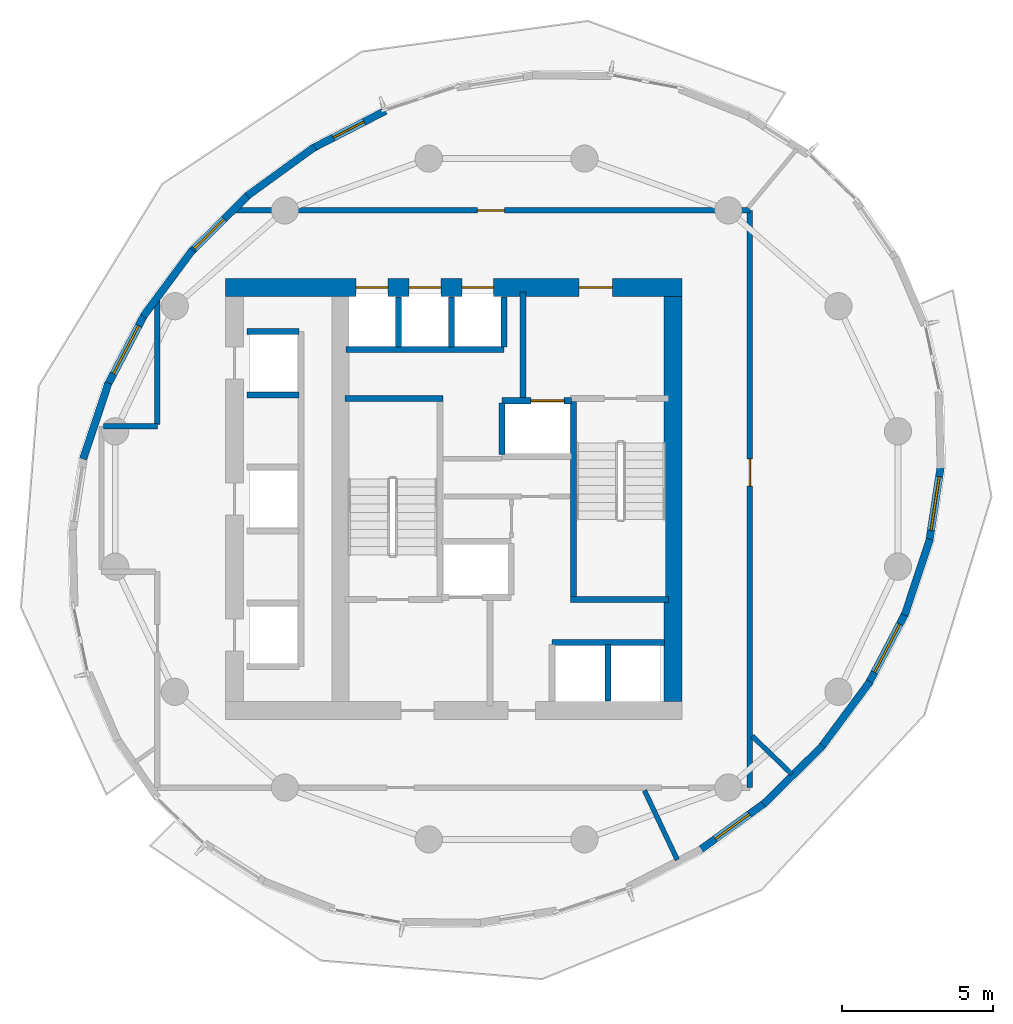
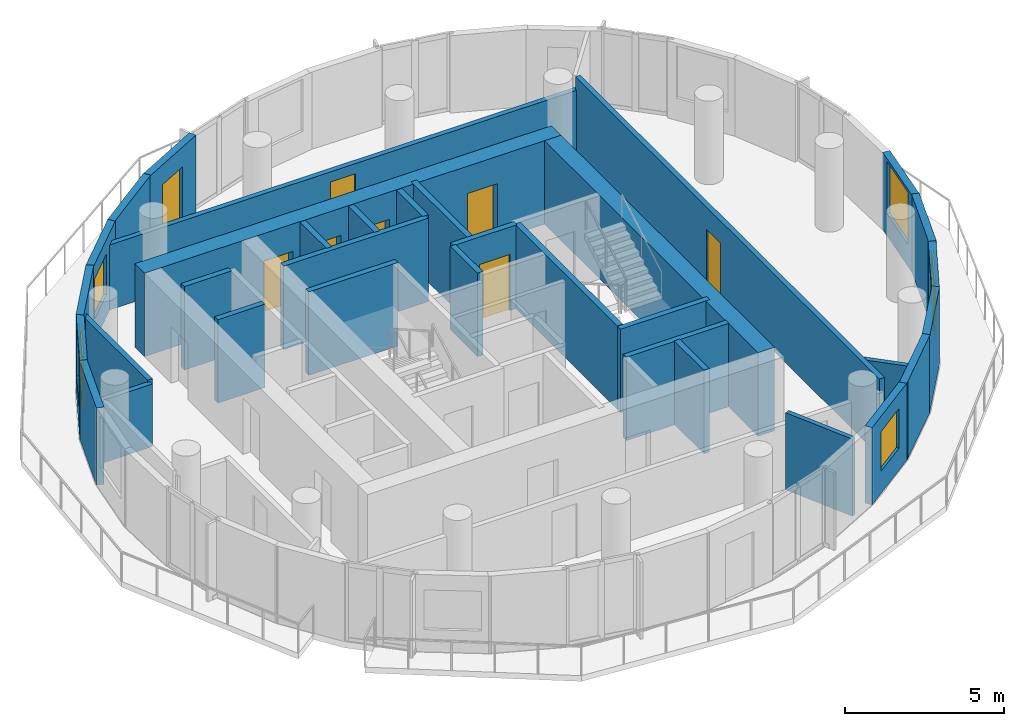
# One storey, part 4 of 9: 34 walls, 8 doors, 5 windows, 13 openings.
"""IFC4 building model written with IfcOpenShell, lengths in metres."""

from ifc_helpers import new_model, si_unit, direction, frame, frame_2d, origin, place, context, subcontext, project, spatial, rectangle, extrude, material, layer, layer_set, type_object, element, fill, save


model = new_model("IFC4")

# Units and contexts
model_context = context("Model", 3, precision=1e-05, world=origin(), true_north=direction((0.0, 1.0)))
body_context = subcontext(model_context, "Body", "Model", "MODEL_VIEW")
ifc_project = project(units=[si_unit("LENGTHUNIT", "METRE"), si_unit("AREAUNIT", "SQUARE_METRE"), si_unit("VOLUMEUNIT", "CUBIC_METRE"), si_unit("PLANEANGLEUNIT", "RADIAN"), si_unit("MASSUNIT", "GRAM", prefix="KILO")], contexts=[model_context])

# Site, building, storey
site_placement = place(None, origin())
site = spatial("IfcSite", under=ifc_project, at=site_placement, CompositionType="ELEMENT")
building_placement = place(site_placement, origin())
building = spatial("IfcBuilding", under=site, at=building_placement, Name="Veldorim Arch Residences", CompositionType="ELEMENT")
storey_placement = place(building_placement, frame((0.0, 0.0, 163.0400390625)))
storey = spatial("IfcBuildingStorey", under=building, at=storey_placement, Name="L48", CompositionType="ELEMENT", Elevation=163.0400390625)

# Wall, opening, door
ifc_material_1 = material(Name="Lightweight Masonry Block & Gypsum", Category="masonry")
ifc_layer_1 = layer(ifc_material_1, 0.179931640625, Name="Compartment & Corridor Fire-Rated Party Wall 180")
ifc_layer_set_1 = layer_set([ifc_layer_1], Name="Lightweight Masonry Block & Gypsum")
wall_type_1 = type_object("IfcWallType", Name="Compartment & Corridor Fire-Rated Party Wall 180", PredefinedType="PARTITIONING", material=ifc_layer_set_1)
wall_1_placement = place(storey_placement, frame((23.0244140625, 33.550048828125, 0.0), z_axis=(0.0, 0.0, 1.0), x_axis=(1.0, 0.0, 0.0)))
wall_1 = element("IfcWall", 1, at=wall_1_placement, inside=storey, type_object=wall_type_1, Name="L48 interior wall WL-SKY-L48-001", PredefinedType="PARTITIONING", context=body_context, shape_type="SweptSolid", body=[
    extrude(rectangle(XDim=17.025634765625, YDim=0.179931640625, at=frame_2d((8.5126953125, 0.0))), origin(), (0.0, 0.0, 1.0), 2.488037109375),
])
opening_1_placement = place(wall_1_placement, frame((8.01220703125, 0.0, 0.0)))
opening_1 = element("IfcOpeningElement", 2, at=opening_1_placement, cuts=wall_1, Name="Opening DR-INT", PredefinedType="OPENING", context=body_context, shape_type="SweptSolid", body=[
    extrude(rectangle(XDim=0.89990234375, YDim=2.10009765625, at=frame_2d((0.449951171875, 1.050048828125))), frame((0.0, 0.099853515625, 0.0), z_axis=(0.0, -1.0, 0.0), x_axis=(1.0, 0.0, 0.0)), (0.0, 0.0, 1.0), 0.199951171875),
])
ifc_material_2 = material(Name="Engineered Timber", Category="wood")
door_type_1 = type_object("IfcDoorType", Name="Apartment Internal Room Timber Door 900x2100", OperationType="SINGLE_SWING_LEFT", PredefinedType="DOOR", material=ifc_material_2)
door_1_placement = place(opening_1_placement, origin())
door_1 = element("IfcDoor", 3, at=door_1_placement, inside=storey, type_object=door_type_1, Name="L48 interior door DR-SKY-L48-001", OperationType="SINGLE_SWING_LEFT", OverallHeight=2.10009765625, OverallWidth=0.89990234375, PredefinedType="DOOR", context=body_context, shape_type="SweptSolid", body=[
    extrude(rectangle(XDim=0.89990234375, YDim=2.10009765625, at=frame_2d((0.449951171875, 1.050048828125))), frame((0.0, 0.02490234375, 0.0), z_axis=(0.0, -1.0, 0.0), x_axis=(1.0, 0.0, 0.0)), (0.0, 0.0, 1.0), 0.050048828125),
])
fill(opening_1, door_1)

# Walls
wall_2_placement = place(storey_placement, frame((18.659912109375, 26.39990234375, 0.0), z_axis=(0.0, 0.0, 1.0), x_axis=(1.0, 0.0, 0.0)))
element("IfcWall", 4, at=wall_2_placement, inside=storey, type_object=wall_type_1, Name="L48 interior wall WL-SKY-L48-005", PredefinedType="PARTITIONING", context=body_context, shape_type="SweptSolid", body=[
    extrude(rectangle(XDim=1.7900390625, YDim=0.179931640625, at=frame_2d((0.89501953125, 0.0))), origin(), (0.0, 0.0, 1.0), 2.4033203125),
])
wall_3_placement = place(storey_placement, frame((20.449951171875, 26.4599609375, 0.0), z_axis=(0.0, 0.0, 1.0), x_axis=(0.0, 1.0, 0.0)))
element("IfcWall", 5, at=wall_3_placement, inside=storey, type_object=wall_type_1, Name="L48 interior wall WL-SKY-L48-006", PredefinedType="PARTITIONING", context=body_context, shape_type="SweptSolid", body=[
    extrude(rectangle(XDim=4.124267578125, YDim=0.179931640625, at=frame_2d((2.06201171875, 0.0))), origin(), (0.0, 0.0, 1.0), 2.488037109375),
])

# Wall, opening, door
wall_4_placement = place(storey_placement, frame((40.050048828125, 33.550048828125, 0.0), z_axis=(0.0, 0.0, 1.0), x_axis=(0.0, -1.0, 0.0)))
wall_4 = element("IfcWall", 6, at=wall_4_placement, inside=storey, type_object=wall_type_1, Name="L48 interior wall WL-SKY-L48-008", PredefinedType="PARTITIONING", context=body_context, shape_type="SweptSolid", body=[
    extrude(rectangle(XDim=19.10009765625, YDim=0.179931640625, at=frame_2d((9.550048828125, 0.0))), origin(), (0.0, 0.0, 1.0), 2.955078125),
])
opening_2_placement = place(wall_4_placement, frame((8.22314453125, 0.0, 0.0)))
opening_2 = element("IfcOpeningElement", 7, at=opening_2_placement, cuts=wall_4, Name="Opening DR-INT", PredefinedType="OPENING", context=body_context, shape_type="SweptSolid", body=[
    extrude(rectangle(XDim=0.89990234375, YDim=2.10009765625, at=frame_2d((0.449951171875, 1.050048828125))), frame((0.0, 0.099853515625, 0.0), z_axis=(0.0, -1.0, 0.0), x_axis=(1.0, 0.0, 0.0)), (0.0, 0.0, 1.0), 0.199951171875),
])
door_2_placement = place(opening_2_placement, origin())
door_2 = element("IfcDoor", 8, at=door_2_placement, inside=storey, type_object=door_type_1, Name="L48 interior door DR-SKY-L48-004", OperationType="SINGLE_SWING_RIGHT", OverallHeight=2.10009765625, OverallWidth=0.89990234375, PredefinedType="DOOR", context=body_context, shape_type="SweptSolid", body=[
    extrude(rectangle(XDim=0.89990234375, YDim=2.10009765625, at=frame_2d((0.449951171875, 1.050048828125))), frame((0.0, 0.02490234375, 0.0), z_axis=(0.0, -1.0, 0.0), x_axis=(1.0, 0.0, 0.0)), (0.0, 0.0, 1.0), 0.050048828125),
])
fill(opening_2, door_2)

# Walls
ifc_material_3 = material(Name="Concrete C50/60", Category="concrete")
ifc_layer_2 = layer(ifc_material_3, 0.199951171875, Name="Core Stair & Lift Shaft Enclosure Wall 200")
ifc_layer_set_2 = layer_set([ifc_layer_2], Name="Concrete C50/60")
wall_type_2 = type_object("IfcWallType", Name="Core Stair & Lift Shaft Enclosure Wall 200", PredefinedType="SHEAR", material=ifc_layer_set_2)
wall_5_placement = place(storey_placement, frame((26.64990234375, 27.330078125, 0.0), z_axis=(0.0, 0.0, 1.0), x_axis=(1.0, 0.0, 0.0)))
element("IfcWall", 9, at=wall_5_placement, inside=storey, type_object=wall_type_2, Name="L48 shaft wall WL-SHF-L48-ST1-N", PredefinedType="SHEAR", context=body_context, shape_type="SweptSolid", body=[
    extrude(rectangle(XDim=3.239990234375, YDim=0.199951171875, at=frame_2d((1.6201171875, 0.0))), origin(), (0.0, 0.0, 1.0), 3.199951171875),
])
wall_6_placement = place(storey_placement, frame((34.2099609375, 20.780029296875, 0.0), z_axis=(0.0, 0.0, 1.0), x_axis=(0.0, 1.0, 0.0)))
element("IfcWall", 10, at=wall_6_placement, inside=storey, type_object=wall_type_2, Name="L48 shaft wall WL-SHF-L48-ST2-W", PredefinedType="SHEAR", context=body_context, shape_type="SweptSolid", body=[
    extrude(rectangle(XDim=6.43994140625, YDim=0.199951171875, at=frame_2d((3.219970703125, 0.0))), origin(), (0.0, 0.0, 1.0), 3.199951171875),
])
wall_7_placement = place(storey_placement, frame((34.110107421875, 20.669921875, 0.0), z_axis=(0.0, 0.0, 1.0), x_axis=(1.0, 0.0, 0.0)))
element("IfcWall", 11, at=wall_7_placement, inside=storey, type_object=wall_type_2, Name="L48 shaft wall WL-SHF-L48-ST2-S", PredefinedType="SHEAR", context=body_context, shape_type="SweptSolid", body=[
    extrude(rectangle(XDim=3.239990234375, YDim=0.199951171875, at=frame_2d((1.6201171875, 0.0))), origin(), (0.0, 0.0, 1.0), 3.199951171875),
])
wall_8_placement = place(storey_placement, frame((32.550048828125, 27.35009765625, 0.0), z_axis=(0.0, 0.0, 1.0), x_axis=(0.0, 1.0, 0.0)))
element("IfcWall", 12, at=wall_8_placement, inside=storey, type_object=wall_type_2, Name="L48 shaft wall WL-FFL2-L48-W", PredefinedType="SHEAR", context=body_context, shape_type="SweptSolid", body=[
    extrude(rectangle(XDim=3.5, YDim=0.199951171875, at=frame_2d((1.75, 0.0))), origin(), (0.0, 0.0, 1.0), 3.199951171875),
])

# Wall, opening, door
wall_9_placement = place(storey_placement, frame((31.85009765625, 27.25, 0.0), z_axis=(0.0, 0.0, 1.0), x_axis=(1.0, 0.0, 0.0)))
wall_9 = element("IfcWall", 13, at=wall_9_placement, inside=storey, type_object=wall_type_2, Name="L48 shaft wall WL-FL02-L48-N", PredefinedType="SHEAR", context=body_context, shape_type="SweptSolid", body=[
    extrude(rectangle(XDim=2.2998046875, YDim=0.199951171875, at=frame_2d((1.14990234375, 0.0))), origin(), (0.0, 0.0, 1.0), 3.199951171875),
])
opening_3_placement = place(wall_9_placement, frame((0.949951171875, 0.0, 0.0)))
opening_3 = element("IfcOpeningElement", 14, at=opening_3_placement, cuts=wall_9, Name="Opening LD-FF", PredefinedType="OPENING", context=body_context, shape_type="SweptSolid", body=[
    extrude(rectangle(XDim=1.10009765625, YDim=2.14990234375, at=frame_2d((0.550048828125, 1.074951171875))), frame((0.0, 0.10986328125, 0.0), z_axis=(0.0, -1.0, 0.0), x_axis=(1.0, 0.0, 0.0)), (0.0, 0.0, 1.0), 0.219970703125),
])
ifc_material_4 = material(Name="Stainless Steel", Category="steel")
door_type_2 = type_object("IfcDoorType", Name="Firefighting Lift Bi-Parting Sliding Landing Door 1100x2150", OperationType="DOUBLE_DOOR_SLIDING", PredefinedType="DOOR", material=ifc_material_4)
door_3_placement = place(opening_3_placement, origin())
door_3 = element("IfcDoor", 15, at=door_3_placement, inside=storey, type_object=door_type_2, Name="L48 lift landing door LD-L48-FL02", OperationType="DOUBLE_DOOR_SLIDING", OverallHeight=2.14990234375, OverallWidth=1.10009765625, PredefinedType="DOOR", context=body_context, shape_type="SweptSolid", body=[
    extrude(rectangle(XDim=1.10009765625, YDim=2.14990234375, at=frame_2d((0.550048828125, 1.074951171875))), frame((0.0, 0.02490234375, 0.0), z_axis=(0.0, -1.0, 0.0), x_axis=(1.0, 0.0, 0.0)), (0.0, 0.0, 1.0), 0.050048828125),
])
fill(opening_3, door_3)

# Walls
for number, where, z_axis, x_axis, name in (
    (16, (31.85009765625, 25.469970703125, 0.0), (0.0, 0.0, 1.0), (0.0, 1.0, 0.0), "L48 shaft wall WL-FL02-L48-W"),
    (17, (23.419921875, 29.5400390625, 0.0), (0.0, 0.0, 1.0), (1.0, 0.0, 0.0), "L48 shaft wall WL-B2-L48-N"),
    (18, (23.419921875, 27.43994140625, 0.0), (0.0, 0.0, 1.0), (1.0, 0.0, 0.0), "L48 shaft wall WL-B2-L48-D2B"),
):
    element("IfcWall", number, at=place(storey_placement, frame(where, z_axis=z_axis, x_axis=x_axis)), inside=storey, type_object=wall_type_2, Name=name, PredefinedType="SHEAR", context=body_context, shape_type="SweptSolid", body=[
        extrude(rectangle(XDim=1.7099609375, YDim=0.199951171875, at=frame_2d((0.85498046875, 0.0))), origin(), (0.0, 0.0, 1.0), 3.199951171875),
    ])
wall_10_placement = place(storey_placement, frame((26.679931640625, 28.949951171875, 0.0), z_axis=(0.0, 0.0, 1.0), x_axis=(1.0, 0.0, 0.0)))
element("IfcWall", 19, at=wall_10_placement, inside=storey, type_object=wall_type_2, Name="L48 shaft wall WL-B3-L48-S", PredefinedType="SHEAR", context=body_context, shape_type="SweptSolid", body=[
    extrude(rectangle(XDim=5.239990234375, YDim=0.199951171875, at=frame_2d((2.6201171875, 0.0))), origin(), (0.0, 0.0, 1.0), 3.199951171875),
])
for number, where, z_axis, x_axis, name in (
    (20, (31.919921875, 29.02001953125, 0.0), (0.0, 0.0, 1.0), (0.0, 1.0, 0.0), "L48 shaft wall WL-B3-L48-E"),
    (21, (28.425048828125, 29.02001953125, 0.0), (0.0, 0.0, 1.0), (0.0, 1.0, 0.0), "L48 shaft wall WL-B3-L48-D1"),
    (22, (30.175048828125, 29.02001953125, 0.0), (0.0, 0.0, 1.0), (0.0, 1.0, 0.0), "L48 shaft wall WL-B3-L48-D2"),
):
    element("IfcWall", number, at=place(storey_placement, frame(where, z_axis=z_axis, x_axis=x_axis)), inside=storey, type_object=wall_type_2, Name=name, PredefinedType="SHEAR", context=body_context, shape_type="SweptSolid", body=[
        extrude(rectangle(XDim=1.659912109375, YDim=0.199951171875, at=frame_2d((0.830078125, 0.0))), origin(), (0.0, 0.0, 1.0), 3.199951171875),
    ])
wall_11_placement = place(storey_placement, frame((33.5, 19.25, 0.0), z_axis=(0.0, 0.0, 1.0), x_axis=(1.0, 0.0, 0.0)))
element("IfcWall", 23, at=wall_11_placement, inside=storey, type_object=wall_type_2, Name="L48 shaft wall WL-OL-L48-N", PredefinedType="SHEAR", context=body_context, shape_type="SweptSolid", body=[
    extrude(rectangle(XDim=3.719970703125, YDim=0.199951171875, at=frame_2d((1.85986328125, 0.0))), origin(), (0.0, 0.0, 1.0), 3.199951171875),
])
wall_12_placement = place(storey_placement, frame((35.35009765625, 17.320068359375, 0.0), z_axis=(0.0, 0.0, 1.0), x_axis=(0.0, 1.0, 0.0)))
element("IfcWall", 24, at=wall_12_placement, inside=storey, type_object=wall_type_2, Name="L48 shaft wall WL-OL-L48-D1", PredefinedType="SHEAR", context=body_context, shape_type="SweptSolid", body=[
    extrude(rectangle(XDim=1.85986328125, YDim=0.199951171875, at=frame_2d((0.929931640625, 0.0))), origin(), (0.0, 0.0, 1.0), 3.199951171875),
])

# Wall, openings, doors
ifc_material_5 = material(Name="Concrete C50/60", Category="concrete")
ifc_layer_3 = layer(ifc_material_5, 0.60009765625, Name="Mid-Upper Central Core Shear Wall 600")
ifc_layer_set_3 = layer_set([ifc_layer_3], Name="Concrete C50/60")
wall_type_3 = type_object("IfcWallType", Name="Mid-Upper Central Core Shear Wall 600", PredefinedType="SHEAR", material=ifc_layer_set_3)
wall_13_placement = place(storey_placement, frame((22.699951171875, 31.0, 0.0), z_axis=(0.0, 0.0, 1.0), x_axis=(1.0, 0.0, 0.0)))
wall_13 = element("IfcWall", 25, at=wall_13_placement, inside=storey, type_object=wall_type_3, Name="L48 central core north shear wall", PredefinedType="SHEAR", context=body_context, shape_type="SweptSolid", body=[
    extrude(rectangle(XDim=15.10009765625, YDim=0.60009765625, at=frame_2d((7.550048828125, 0.0))), origin(), (0.0, 0.0, 1.0), 3.199951171875),
])
opening_4_placement = place(wall_13_placement, frame((11.699951171875, 0.0, 0.0)))
opening_4 = element("IfcOpeningElement", 26, at=opening_4_placement, cuts=wall_13, Name="Opening DR-FFL", PredefinedType="OPENING", context=body_context, shape_type="SweptSolid", body=[
    extrude(rectangle(XDim=1.10009765625, YDim=2.14990234375, at=frame_2d((0.550048828125, 1.074951171875))), frame((0.0, 0.31005859375, 0.0), z_axis=(0.0, -1.0, 0.0), x_axis=(1.0, 0.0, 0.0)), (0.0, 0.0, 1.0), 0.6201171875),
])
opening_5_placement = place(wall_13_placement, frame((4.324951171875, 0.0, 0.0)))
opening_5 = element("IfcOpeningElement", 27, at=opening_5_placement, cuts=wall_13, Name="Opening LD-PS", PredefinedType="OPENING", context=body_context, shape_type="SweptSolid", body=[
    extrude(rectangle(XDim=1.050048828125, YDim=2.14990234375, at=frame_2d((0.52490234375, 1.074951171875))), frame((0.0, 0.31005859375, 0.0), z_axis=(0.0, -1.0, 0.0), x_axis=(1.0, 0.0, 0.0)), (0.0, 0.0, 1.0), 0.6201171875),
])
opening_6_placement = place(wall_13_placement, frame((6.074951171875, 0.0, 0.0)))
opening_6 = element("IfcOpeningElement", 28, at=opening_6_placement, cuts=wall_13, Name="Opening LD-PS", PredefinedType="OPENING", context=body_context, shape_type="SweptSolid", body=[
    extrude(rectangle(XDim=1.050048828125, YDim=2.14990234375, at=frame_2d((0.52490234375, 1.074951171875))), frame((0.0, 0.31005859375, 0.0), z_axis=(0.0, -1.0, 0.0), x_axis=(1.0, 0.0, 0.0)), (0.0, 0.0, 1.0), 0.6201171875),
])
opening_7_placement = place(wall_13_placement, frame((7.824951171875, 0.0, 0.0)))
opening_7 = element("IfcOpeningElement", 29, at=opening_7_placement, cuts=wall_13, Name="Opening LD-PS", PredefinedType="OPENING", context=body_context, shape_type="SweptSolid", body=[
    extrude(rectangle(XDim=1.050048828125, YDim=2.14990234375, at=frame_2d((0.52490234375, 1.074951171875))), frame((0.0, 0.31005859375, 0.0), z_axis=(0.0, -1.0, 0.0), x_axis=(1.0, 0.0, 0.0)), (0.0, 0.0, 1.0), 0.6201171875),
])
ifc_material_6 = material(Name="Fire-Rated Steel & Vision Glass", Category="steel")
door_type_3 = type_object("IfcDoorType", Name="Firefighting Lobby Smoke-Stop Fire Door 1100x2150", OperationType="SINGLE_SWING_LEFT", PredefinedType="DOOR", material=ifc_material_6)
door_4_placement = place(opening_4_placement, origin())
door_4 = element("IfcDoor", 30, at=door_4_placement, inside=storey, type_object=door_type_3, Name="L48 interior door DR-L48-FFL2", OperationType="SINGLE_SWING_LEFT", OverallHeight=2.14990234375, OverallWidth=1.10009765625, PredefinedType="DOOR", context=body_context, shape_type="SweptSolid", body=[
    extrude(rectangle(XDim=1.10009765625, YDim=2.14990234375, at=frame_2d((0.550048828125, 1.074951171875))), frame((0.0, 0.02490234375, 0.0), z_axis=(0.0, -1.0, 0.0), x_axis=(1.0, 0.0, 0.0)), (0.0, 0.0, 1.0), 0.050048828125),
])
fill(opening_4, door_4)
ifc_material_7 = material(Name="Stainless Steel", Category="steel")
door_type_4 = type_object("IfcDoorType", Name="Passenger Lift Bi-Parting Sliding Landing Door 1050x2150", OperationType="DOUBLE_DOOR_SLIDING", PredefinedType="DOOR", material=ifc_material_7)
door_5_placement = place(opening_5_placement, origin())
door_5 = element("IfcDoor", 31, at=door_5_placement, inside=storey, type_object=door_type_4, Name="L48 lift landing door LD-L48-PL-08", OperationType="DOUBLE_DOOR_SLIDING", OverallHeight=2.14990234375, OverallWidth=1.050048828125, PredefinedType="DOOR", context=body_context, shape_type="SweptSolid", body=[
    extrude(rectangle(XDim=1.050048828125, YDim=2.14990234375, at=frame_2d((0.52490234375, 1.074951171875))), frame((0.0, 0.02490234375, 0.0), z_axis=(0.0, -1.0, 0.0), x_axis=(1.0, 0.0, 0.0)), (0.0, 0.0, 1.0), 0.050048828125),
])
fill(opening_5, door_5)
door_6_placement = place(opening_6_placement, origin())
door_6 = element("IfcDoor", 32, at=door_6_placement, inside=storey, type_object=door_type_4, Name="L48 lift landing door LD-L48-PL-09", OperationType="DOUBLE_DOOR_SLIDING", OverallHeight=2.14990234375, OverallWidth=1.050048828125, PredefinedType="DOOR", context=body_context, shape_type="SweptSolid", body=[
    extrude(rectangle(XDim=1.050048828125, YDim=2.14990234375, at=frame_2d((0.52490234375, 1.074951171875))), frame((0.0, 0.02490234375, 0.0), z_axis=(0.0, -1.0, 0.0), x_axis=(1.0, 0.0, 0.0)), (0.0, 0.0, 1.0), 0.050048828125),
])
fill(opening_6, door_6)
door_7_placement = place(opening_7_placement, origin())
door_7 = element("IfcDoor", 33, at=door_7_placement, inside=storey, type_object=door_type_4, Name="L48 lift landing door LD-L48-PL-10", OperationType="DOUBLE_DOOR_SLIDING", OverallHeight=2.14990234375, OverallWidth=1.050048828125, PredefinedType="DOOR", context=body_context, shape_type="SweptSolid", body=[
    extrude(rectangle(XDim=1.050048828125, YDim=2.14990234375, at=frame_2d((0.52490234375, 1.074951171875))), frame((0.0, 0.02490234375, 0.0), z_axis=(0.0, -1.0, 0.0), x_axis=(1.0, 0.0, 0.0)), (0.0, 0.0, 1.0), 0.050048828125),
])
fill(opening_7, door_7)

# Wall
wall_14_placement = place(storey_placement, frame((37.5, 17.300048828125, 0.0), z_axis=(0.0, 0.0, 1.0), x_axis=(0.0, 1.0, 0.0)))
element("IfcWall", 34, at=wall_14_placement, inside=storey, type_object=wall_type_3, Name="L48 central core east shear wall", PredefinedType="SHEAR", context=body_context, shape_type="SweptSolid", body=[
    extrude(rectangle(XDim=13.39990234375, YDim=0.60009765625, at=frame_2d((6.699951171875, 0.0))), origin(), (0.0, 0.0, 1.0), 3.199951171875),
])

# Wall, opening, door
ifc_material_8 = material(Name="Precast concrete C40/50", Category="concrete")
ifc_layer_4 = layer(ifc_material_8, 0.25, Name="Tower Terracotta Spandrel & Pier Wall 250")
ifc_layer_set_4 = layer_set([ifc_layer_4], Name="Precast concrete C40/50")
wall_type_4 = type_object("IfcWallType", Name="Tower Terracotta Spandrel & Pier Wall 250", PredefinedType="SOLIDWALL", material=ifc_layer_set_4)
wall_15_placement = place(storey_placement, frame((25.5576171875, 35.591064453125, 0.0), z_axis=(0.0, 0.0, 1.0), x_axis=(0.889378950916, 0.457170735796, 0.0)))
wall_15 = element("IfcWall", 35, at=wall_15_placement, inside=storey, type_object=wall_type_4, Name="L48 terracotta facade wall 08", PredefinedType="SOLIDWALL", context=body_context, shape_type="SweptSolid", body=[
    extrude(rectangle(XDim=2.738525390625, YDim=0.25, at=frame_2d((1.369140625, 0.0))), origin(), (0.0, 0.0, 1.0), 2.9599609375),
])
opening_8_placement = place(wall_15_placement, frame((0.7939453125, 0.0, 0.0)))
opening_8 = element("IfcOpeningElement", 36, at=opening_8_placement, cuts=wall_15, Name="Opening BL-DR", PredefinedType="OPENING", context=body_context, shape_type="SweptSolid", body=[
    extrude(rectangle(XDim=1.14990234375, YDim=2.199951171875, at=frame_2d((0.574951171875, 1.10009765625))), frame((0.0, 0.135009765625, 0.0), z_axis=(0.0, -1.0, 0.0), x_axis=(1.0, 0.0, 0.0)), (0.0, 0.0, 1.0), 0.27001953125),
])
ifc_material_9 = material(Name="Aluminium & Low-E Glass", Category="aluminium")
door_type_5 = type_object("IfcDoorType", Name="Glazed Planted Balcony Door 1150x2200", OperationType="SINGLE_SWING_LEFT", PredefinedType="DOOR", material=ifc_material_9)
door_8_placement = place(opening_8_placement, origin())
door_8 = element("IfcDoor", 37, at=door_8_placement, inside=storey, type_object=door_type_5, Name="L48 glazed outdoor terrace door BALC-1", OperationType="SINGLE_SWING_RIGHT", OverallHeight=2.199951171875, OverallWidth=1.14990234375, PredefinedType="DOOR", context=body_context, shape_type="SweptSolid", body=[
    extrude(rectangle(XDim=1.14990234375, YDim=2.199951171875, at=frame_2d((0.574951171875, 1.10009765625))), frame((0.0, 0.02490234375, 0.0), z_axis=(0.0, -1.0, 0.0), x_axis=(1.0, 0.0, 0.0)), (0.0, 0.0, 1.0), 0.050048828125),
])
fill(opening_8, door_8)

# Wall
wall_16_placement = place(storey_placement, frame((23.418212890625, 34.028076171875, 0.0), z_axis=(0.0, 0.0, 1.0), x_axis=(0.809302211878, 0.587392483651, 0.0)))
element("IfcWall", 38, at=wall_16_placement, inside=storey, type_object=wall_type_4, Name="L48 terracotta facade wall 09", PredefinedType="SOLIDWALL", context=body_context, shape_type="SweptSolid", body=[
    extrude(rectangle(XDim=2.758056640625, YDim=0.25, at=frame_2d((1.37890625, 0.0))), origin(), (0.0, 0.0, 1.0), 2.9599609375),
])

# Wall, opening, window
wall_17_placement = place(storey_placement, frame((21.539794921875, 32.15966796875, 0.0), z_axis=(0.0, 0.0, 1.0), x_axis=(0.711211219647, 0.702978378792, 0.0)))
wall_17 = element("IfcWall", 39, at=wall_17_placement, inside=storey, type_object=wall_type_4, Name="L48 terracotta facade wall 10", PredefinedType="SOLIDWALL", context=body_context, shape_type="SweptSolid", body=[
    extrude(rectangle(XDim=2.7578125, YDim=0.25, at=frame_2d((1.37890625, 0.0))), origin(), (0.0, 0.0, 1.0), 2.9599609375),
])
opening_9_placement = place(wall_17_placement, frame((0.175048828125, 0.0, 0.85009765625)))
opening_9 = element("IfcOpeningElement", 40, at=opening_9_placement, cuts=wall_17, Name="Opening WN-02", PredefinedType="OPENING", context=body_context, shape_type="SweptSolid", body=[
    extrude(rectangle(XDim=1.39990234375, YDim=1.550048828125, at=frame_2d((0.699951171875, 0.77490234375))), frame((0.0, 0.135009765625, 0.0), z_axis=(0.0, -1.0, 0.0), x_axis=(1.0, 0.0, 0.0)), (0.0, 0.0, 1.0), 0.27001953125),
])
ifc_material_10 = material(Name="Laminated Low-E Glass", Category="glass")
window_type_1 = type_object("IfcWindowType", Name="Residential Casement Window 1400x1550", PartitioningType="SINGLE_PANEL", PredefinedType="WINDOW", material=ifc_material_10)
window_1_placement = place(opening_9_placement, origin())
window_1 = element("IfcWindow", 41, at=window_1_placement, inside=storey, type_object=window_type_1, Name="L48 solar-control facade window 10", OverallHeight=1.550048828125, OverallWidth=1.39990234375, PartitioningType="SINGLE_PANEL", PredefinedType="WINDOW", context=body_context, shape_type="SweptSolid", body=[
    extrude(rectangle(XDim=1.39990234375, YDim=1.550048828125, at=frame_2d((0.699951171875, 0.77490234375))), frame((0.0, 0.030029296875, 0.0), z_axis=(0.0, -1.0, 0.0), x_axis=(1.0, 0.0, 0.0)), (0.0, 0.0, 1.0), 0.06005859375),
])
fill(opening_9, window_1)

# Wall
wall_18_placement = place(storey_placement, frame((19.9794921875, 30.042236328125, 0.0), z_axis=(0.0, 0.0, 1.0), x_axis=(0.595783859774, 0.803144814111, 0.0)))
element("IfcWall", 42, at=wall_18_placement, inside=storey, type_object=wall_type_4, Name="L48 terracotta facade wall 11", PredefinedType="SOLIDWALL", context=body_context, shape_type="SweptSolid", body=[
    extrude(rectangle(XDim=2.738525390625, YDim=0.25, at=frame_2d((1.369140625, 0.0))), origin(), (0.0, 0.0, 1.0), 2.9599609375),
])

# Wall, opening, window
wall_19_placement = place(storey_placement, frame((18.785400390625, 27.740966796875, 0.0), z_axis=(0.0, 0.0, 1.0), x_axis=(0.463513901258, 0.886089647463, 0.0)))
wall_19 = element("IfcWall", 43, at=wall_19_placement, inside=storey, type_object=wall_type_4, Name="L48 terracotta facade wall 12", PredefinedType="SOLIDWALL", context=body_context, shape_type="SweptSolid", body=[
    extrude(rectangle(XDim=2.701416015625, YDim=0.25, at=frame_2d((1.3505859375, 0.0))), origin(), (0.0, 0.0, 1.0), 2.9599609375),
])
opening_10_placement = place(wall_19_placement, frame((0.450927734375, 0.0, 0.85009765625)))
opening_10 = element("IfcOpeningElement", 44, at=opening_10_placement, cuts=wall_19, Name="Opening WN-04", PredefinedType="OPENING", context=body_context, shape_type="SweptSolid", body=[
    extrude(rectangle(XDim=1.800048828125, YDim=2.0, at=frame_2d((0.89990234375, 1.0))), frame((0.0, 0.135009765625, 0.0), z_axis=(0.0, -1.0, 0.0), x_axis=(1.0, 0.0, 0.0)), (0.0, 0.0, 1.0), 0.27001953125),
])
ifc_material_11 = material(Name="Laminated Low-E Glass", Category="glass")
window_type_2 = type_object("IfcWindowType", Name="Sky Lounge Tall Picture Window 1800x1370", PartitioningType="SINGLE_PANEL", PredefinedType="WINDOW", material=ifc_material_11)
window_2_placement = place(opening_10_placement, origin())
window_2 = element("IfcWindow", 45, at=window_2_placement, inside=storey, type_object=window_type_2, Name="L48 solar-control facade window 12", OverallHeight=2.0, OverallWidth=1.800048828125, PartitioningType="SINGLE_PANEL", PredefinedType="WINDOW", context=body_context, shape_type="SweptSolid", body=[
    extrude(rectangle(XDim=1.800048828125, YDim=2.0, at=frame_2d((0.89990234375, 1.0))), frame((0.0, 0.030029296875, 0.0), z_axis=(0.0, -1.0, 0.0), x_axis=(1.0, 0.0, 0.0)), (0.0, 0.0, 1.0), 0.06005859375),
])
fill(opening_10, window_2)

# Wall
wall_20_placement = place(storey_placement, frame((17.993896484375, 25.32568359375, 0.0), z_axis=(0.0, 0.0, 1.0), x_axis=(0.314763160498, 0.949170244368, 0.0)))
element("IfcWall", 46, at=wall_20_placement, inside=storey, type_object=wall_type_4, Name="L48 terracotta facade wall 13", PredefinedType="SOLIDWALL", context=body_context, shape_type="SweptSolid", body=[
    extrude(rectangle(XDim=2.651123046875, YDim=0.25, at=frame_2d((1.32568359375, 0.0))), origin(), (0.0, 0.0, 1.0), 2.9599609375),
])

# Wall, opening, window
wall_21_placement = place(storey_placement, frame((40.581787109375, 13.971923828125, 0.0), z_axis=(0.0, 0.0, 1.0), x_axis=(-0.809302211878, -0.587392483651, 0.0)))
wall_21 = element("IfcWall", 47, at=wall_21_placement, inside=storey, type_object=wall_type_4, Name="L48 terracotta facade wall 27", PredefinedType="SOLIDWALL", context=body_context, shape_type="SweptSolid", body=[
    extrude(rectangle(XDim=2.758056640625, YDim=0.25, at=frame_2d((1.37890625, 0.0))), origin(), (0.0, 0.0, 1.0), 2.9599609375),
])
opening_11_placement = place(wall_21_placement, frame((0.678955078125, 0.0, 0.85009765625)))
opening_11 = element("IfcOpeningElement", 48, at=opening_11_placement, cuts=wall_21, Name="Opening WN-02", PredefinedType="OPENING", context=body_context, shape_type="SweptSolid", body=[
    extrude(rectangle(XDim=1.39990234375, YDim=1.52001953125, at=frame_2d((0.699951171875, 0.760009765625))), frame((0.0, 0.135009765625, 0.0), z_axis=(0.0, -1.0, 0.0), x_axis=(1.0, 0.0, 0.0)), (0.0, 0.0, 1.0), 0.27001953125),
])
window_3_placement = place(opening_11_placement, origin())
window_3 = element("IfcWindow", 49, at=window_3_placement, inside=storey, type_object=window_type_1, Name="L48 solar-control facade window 27", OverallHeight=1.52001953125, OverallWidth=1.39990234375, PartitioningType="SINGLE_PANEL", PredefinedType="WINDOW", context=body_context, shape_type="SweptSolid", body=[
    extrude(rectangle(XDim=1.39990234375, YDim=1.52001953125, at=frame_2d((0.699951171875, 0.760009765625))), frame((0.0, 0.030029296875, 0.0), z_axis=(0.0, -1.0, 0.0), x_axis=(1.0, 0.0, 0.0)), (0.0, 0.0, 1.0), 0.06005859375),
])
fill(opening_11, window_3)

# Walls
wall_22_placement = place(storey_placement, frame((42.460205078125, 15.84033203125, 0.0), z_axis=(0.0, 0.0, 1.0), x_axis=(-0.711211219647, -0.702978378792, 0.0)))
element("IfcWall", 50, at=wall_22_placement, inside=storey, type_object=wall_type_4, Name="L48 terracotta facade wall 28", PredefinedType="SOLIDWALL", context=body_context, shape_type="SweptSolid", body=[
    extrude(rectangle(XDim=2.7578125, YDim=0.25, at=frame_2d((1.37890625, 0.0))), origin(), (0.0, 0.0, 1.0), 2.9599609375),
])
wall_23_placement = place(storey_placement, frame((44.0205078125, 17.957763671875, 0.0), z_axis=(0.0, 0.0, 1.0), x_axis=(-0.595783859774, -0.803144814111, 0.0)))
element("IfcWall", 51, at=wall_23_placement, inside=storey, type_object=wall_type_4, Name="L48 terracotta facade wall 29", PredefinedType="SOLIDWALL", context=body_context, shape_type="SweptSolid", body=[
    extrude(rectangle(XDim=2.738525390625, YDim=0.25, at=frame_2d((1.369140625, 0.0))), origin(), (0.0, 0.0, 1.0), 2.9599609375),
])

# Wall, opening, window
wall_24_placement = place(storey_placement, frame((45.214599609375, 20.259033203125, 0.0), z_axis=(0.0, 0.0, 1.0), x_axis=(-0.463513901258, -0.886089647463, 0.0)))
wall_24 = element("IfcWall", 52, at=wall_24_placement, inside=storey, type_object=wall_type_4, Name="L48 terracotta facade wall 30", PredefinedType="SOLIDWALL", context=body_context, shape_type="SweptSolid", body=[
    extrude(rectangle(XDim=2.701416015625, YDim=0.25, at=frame_2d((1.3505859375, 0.0))), origin(), (0.0, 0.0, 1.0), 2.9599609375),
])
opening_12_placement = place(wall_24_placement, frame((0.450927734375, 0.0, 0.85009765625)))
opening_12 = element("IfcOpeningElement", 53, at=opening_12_placement, cuts=wall_24, Name="Opening WN-04", PredefinedType="OPENING", context=body_context, shape_type="SweptSolid", body=[
    extrude(rectangle(XDim=1.800048828125, YDim=2.0, at=frame_2d((0.89990234375, 1.0))), frame((0.0, 0.135009765625, 0.0), z_axis=(0.0, -1.0, 0.0), x_axis=(1.0, 0.0, 0.0)), (0.0, 0.0, 1.0), 0.27001953125),
])
window_4_placement = place(opening_12_placement, origin())
window_4 = element("IfcWindow", 54, at=window_4_placement, inside=storey, type_object=window_type_2, Name="L48 solar-control facade window 30", OverallHeight=2.0, OverallWidth=1.800048828125, PartitioningType="SINGLE_PANEL", PredefinedType="WINDOW", context=body_context, shape_type="SweptSolid", body=[
    extrude(rectangle(XDim=1.800048828125, YDim=2.0, at=frame_2d((0.89990234375, 1.0))), frame((0.0, 0.030029296875, 0.0), z_axis=(0.0, -1.0, 0.0), x_axis=(1.0, 0.0, 0.0)), (0.0, 0.0, 1.0), 0.06005859375),
])
fill(opening_12, window_4)

# Wall
wall_25_placement = place(storey_placement, frame((46.006103515625, 22.67431640625, 0.0), z_axis=(0.0, 0.0, 1.0), x_axis=(-0.314763160498, -0.949170244368, 0.0)))
element("IfcWall", 55, at=wall_25_placement, inside=storey, type_object=wall_type_4, Name="L48 terracotta facade wall 31", PredefinedType="SOLIDWALL", context=body_context, shape_type="SweptSolid", body=[
    extrude(rectangle(XDim=2.651123046875, YDim=0.25, at=frame_2d((1.32568359375, 0.0))), origin(), (0.0, 0.0, 1.0), 2.9599609375),
])

# Wall, opening, window
wall_26_placement = place(storey_placement, frame((46.37109375, 25.12890625, 0.0), z_axis=(0.0, 0.0, 1.0), x_axis=(-0.150882230886, -0.988551744929, 0.0)))
wall_26 = element("IfcWall", 56, at=wall_26_placement, inside=storey, type_object=wall_type_4, Name="L48 terracotta facade wall 32", PredefinedType="SOLIDWALL", context=body_context, shape_type="SweptSolid", body=[
    extrude(rectangle(XDim=2.59228515625, YDim=0.25, at=frame_2d((1.296142578125, 0.0))), origin(), (0.0, 0.0, 1.0), 2.9599609375),
])
opening_13_placement = place(wall_26_placement, frame((0.39599609375, 0.0, 0.85009765625)))
opening_13 = element("IfcOpeningElement", 57, at=opening_13_placement, cuts=wall_26, Name="Opening WN-04", PredefinedType="OPENING", context=body_context, shape_type="SweptSolid", body=[
    extrude(rectangle(XDim=1.800048828125, YDim=2.0, at=frame_2d((0.89990234375, 1.0))), frame((0.0, 0.135009765625, 0.0), z_axis=(0.0, -1.0, 0.0), x_axis=(1.0, 0.0, 0.0)), (0.0, 0.0, 1.0), 0.27001953125),
])
window_5_placement = place(opening_13_placement, origin())
window_5 = element("IfcWindow", 58, at=window_5_placement, inside=storey, type_object=window_type_2, Name="L48 solar-control facade window 32", OverallHeight=2.0, OverallWidth=1.800048828125, PartitioningType="SINGLE_PANEL", PredefinedType="WINDOW", context=body_context, shape_type="SweptSolid", body=[
    extrude(rectangle(XDim=1.800048828125, YDim=2.0, at=frame_2d((0.89990234375, 1.0))), frame((0.0, 0.030029296875, 0.0), z_axis=(0.0, -1.0, 0.0), x_axis=(1.0, 0.0, 0.0)), (0.0, 0.0, 1.0), 0.06005859375),
])
fill(opening_13, window_5)

# Walls
ifc_material_12 = material(Name="Moisture-Resistant Gypsum & Stud", Category="gypsum")
ifc_layer_5 = layer(ifc_material_12, 0.159912109375, Name="Wet-Area Moisture-Resistant Plumbing Wall 160")
ifc_layer_set_5 = layer_set([ifc_layer_5], Name="Moisture-Resistant Gypsum & Stud")
wall_type_5 = type_object("IfcWallType", Name="Wet-Area Moisture-Resistant Plumbing Wall 160", PredefinedType="PLUMBINGWALL", material=ifc_layer_set_5)
wall_27_placement = place(storey_placement, frame((36.56103515625, 14.359619140625, 0.0), z_axis=(0.0, 0.0, 1.0), x_axis=(0.427702244689, -0.903919681105, 0.0)))
element("IfcWall", 59, at=wall_27_placement, inside=storey, type_object=wall_type_5, Name="L48 interior wall WL-SKY-L48-011", PredefinedType="PLUMBINGWALL", context=body_context, shape_type="SweptSolid", body=[
    extrude(rectangle(XDim=2.541259765625, YDim=0.159912109375, at=frame_2d((1.2705078125, 0.0))), origin(), (0.0, 0.0, 1.0), 2.955078125),
])
wall_28_placement = place(storey_placement, frame((41.430419921875, 14.899658203125, 0.0), z_axis=(0.0, 0.0, 1.0), x_axis=(-0.719616607648, 0.694371613761, 0.0)))
element("IfcWall", 60, at=wall_28_placement, inside=storey, type_object=wall_type_5, Name="L48 interior wall WL-SKY-L48-012", PredefinedType="PLUMBINGWALL", context=body_context, shape_type="SweptSolid", body=[
    extrude(rectangle(XDim=1.818115234375, YDim=0.159912109375, at=frame_2d((0.9091796875, 0.0))), origin(), (0.0, 0.0, 1.0), 2.69189453125),
])

save(model, "model.ifc")
